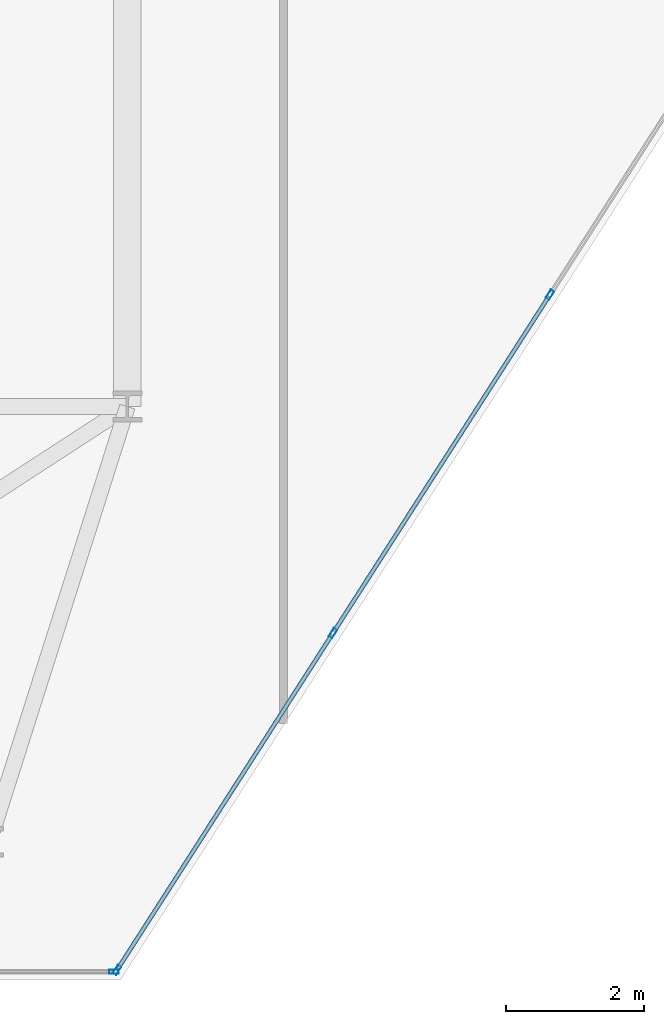
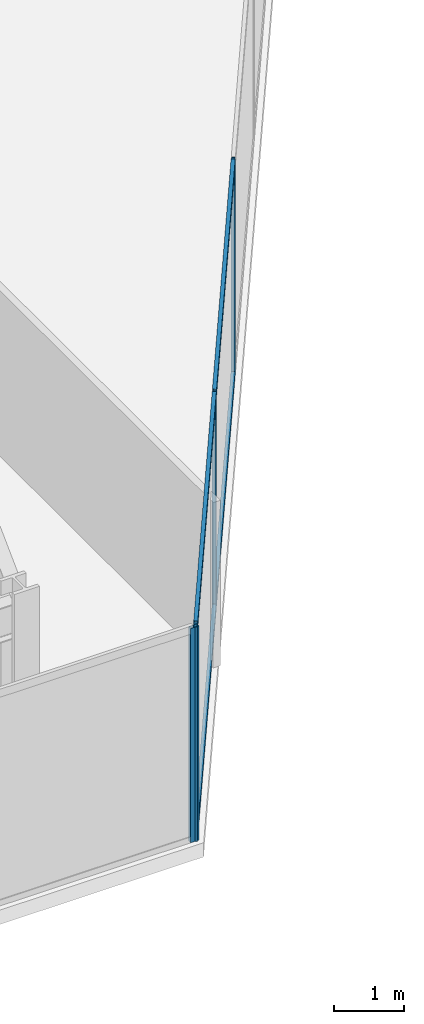
# One storey, part 7 of 26: 8 members, 2 elements without a shape of their own.
"""IFC4 building model written with IfcOpenShell, lengths in metres."""

from ifc_helpers import new_model, si_unit, direction, frame, origin, origin_2d, place, context, subcontext, project, spatial, hollow_rectangle, extrude, material, layer, layer_set, material_profile, profile_set, type_object, element, aggregate, save


model = new_model("IFC4")

# Units and contexts
model_context = context("Model", 3, precision=1e-05, world=origin(), true_north=direction((0.0, 1.0)))
body_context = subcontext(model_context, "Body", "Model", "MODEL_VIEW")
ifc_project = project(units=[si_unit("LENGTHUNIT", "METRE"), si_unit("AREAUNIT", "SQUARE_METRE"), si_unit("VOLUMEUNIT", "CUBIC_METRE"), si_unit("PLANEANGLEUNIT", "RADIAN"), si_unit("MASSUNIT", "GRAM", prefix="KILO")], contexts=[model_context])

# Site, building, storey
site_placement = place(None, origin())
site = spatial("IfcSite", under=ifc_project, at=site_placement, CompositionType="ELEMENT")
building_placement = place(site_placement, origin())
building = spatial("IfcBuilding", under=site, at=building_placement, Name="Kravanh Interchange Tower", CompositionType="ELEMENT")
storey_placement = place(building_placement, frame((0.0, 0.0, 132.0)))
storey = spatial("IfcBuildingStorey", under=building, at=storey_placement, Name="L31", CompositionType="ELEMENT", Elevation=132.0)

# Curtain wall, members
ifc_material_1 = material(Name="Anodised Bronze Aluminium", Category="aluminium")
ifc_layer = layer(ifc_material_1, 0.179931640625)
ifc_layer_set = layer_set([ifc_layer], Name="Unitised Curtain Wall System CW-Z2 Mid Office")
curtain_wall_type = type_object("IfcCurtainWallType", Name="Unitised Curtain Wall System CW-Z2 Mid Office", PredefinedType="NOTDEFINED", material=ifc_layer_set)
curtain_wall_1_placement = place(storey_placement, origin())
curtain_wall_1 = element("IfcCurtainWall", 1, at=curtain_wall_1_placement, inside=storey, type_object=curtain_wall_type, Name="L31 Unitised Curtain Wall CW-L31-05", PredefinedType="NOTDEFINED")
ifc_material_2 = material(Name="Anodised Bronze Aluminium", Category="aluminium")
ifc_material_profile_1 = material_profile(ifc_material_2, hollow_rectangle(XDim=0.06005859375, YDim=0.139892578125, WallThickness=0.00390625, at=origin_2d()), Name="ALU60X140X4")
ifc_profile_set_1 = profile_set([ifc_material_profile_1], Name="Anodised Bronze Aluminium")
member_type_1 = type_object("IfcMemberType", Name="Curtain Wall Mullion ALU60X140X4 Bronze", PredefinedType="MULLION", material=ifc_profile_set_1)
member_1_placement = place(storey_placement, frame((33.317138671875, 16.12109375, 0.0), z_axis=(0.0, 0.0, 1.0), x_axis=(0.841879939476, -0.539664865919, 0.0)))
member_1 = element("IfcMember", 2, at=member_1_placement, type_object=member_type_1, Name="CW-Z2 mullion 3", PredefinedType="MULLION", context=body_context, shape_type="SweptSolid", body=[
    extrude(hollow_rectangle(XDim=0.06005859375, YDim=0.139892578125, WallThickness=0.00390625, at=origin_2d()), origin(), (0.0, 0.0, 1.0), 3.75),
])
member_2_placement = place(storey_placement, frame((30.17578125, 11.220703125, 0.0), z_axis=(0.0, 0.0, 1.0), x_axis=(0.841879939476, -0.539664865919, 0.0)))
member_2 = element("IfcMember", 3, at=member_2_placement, type_object=member_type_1, Name="CW-Z2 mullion 4", PredefinedType="MULLION", context=body_context, shape_type="SweptSolid", body=[
    extrude(hollow_rectangle(XDim=0.06005859375, YDim=0.139892578125, WallThickness=0.00390625, at=origin_2d()), origin(), (0.0, 0.0, 1.0), 3.75),
])
member_3_placement = place(storey_placement, frame((27.050537109375, 6.34521484375, 0.0), z_axis=(0.0, 0.0, 1.0), x_axis=(0.841879939476, -0.539664865919, 0.0)))
member_3 = element("IfcMember", 4, at=member_3_placement, type_object=member_type_1, Name="CW-Z2 mullion 5", PredefinedType="MULLION", context=body_context, shape_type="SweptSolid", body=[
    extrude(hollow_rectangle(XDim=0.06005859375, YDim=0.139892578125, WallThickness=0.00390625, at=origin_2d()), origin(), (0.0, 0.0, 1.0), 3.75),
])

# Curtain wall, member
curtain_wall_2_placement = place(storey_placement, origin())
curtain_wall_2 = element("IfcCurtainWall", 5, at=curtain_wall_2_placement, inside=storey, type_object=curtain_wall_type, Name="L31 Unitised Curtain Wall CW-L31-06", PredefinedType="NOTDEFINED")
member_4_placement = place(storey_placement, frame((27.00439453125, 6.320068359375, 0.0), z_axis=(0.0, 0.0, 1.0), x_axis=(0.0, -1.0, 0.0)))
member_4 = element("IfcMember", 6, at=member_4_placement, type_object=member_type_1, Name="CW-Z2 mullion 1", PredefinedType="MULLION", context=body_context, shape_type="SweptSolid", body=[
    extrude(hollow_rectangle(XDim=0.06005859375, YDim=0.139892578125, WallThickness=0.00390625, at=origin_2d()), origin(), (0.0, 0.0, 1.0), 3.75),
])
aggregate(curtain_wall_2, [member_4])

# Member
ifc_material_3 = material(Name="Anodised Bronze Aluminium", Category="aluminium")
ifc_material_profile_2 = material_profile(ifc_material_3, hollow_rectangle(XDim=0.06005859375, YDim=0.139892578125, WallThickness=0.00390625, at=origin_2d()), Name="ALU60X140X4")
ifc_profile_set_2 = profile_set([ifc_material_profile_2], Name="Anodised Bronze Aluminium")
member_type_2 = type_object("IfcMemberType", Name="Curtain Wall Transom ALU60X140X4 Bronze", PredefinedType="USERDEFINED", material=ifc_profile_set_2)
member_5_placement = place(storey_placement, frame((33.301025390625, 16.095947265625, 0.030029296875), z_axis=(-0.539677666788, -0.84187173368, 0.0), x_axis=(0.84187173368, -0.539677666788, 0.0)))
member_5 = element("IfcMember", 7, at=member_5_placement, type_object=member_type_2, Name="CW-Z2 transom 3.1", ObjectType="TRANSOM", PredefinedType="USERDEFINED", context=body_context, shape_type="SweptSolid", body=[
    extrude(hollow_rectangle(XDim=0.06005859375, YDim=0.139892578125, WallThickness=0.00390625, at=origin_2d()), origin(), (0.0, 0.0, 1.0), 5.760986328125),
])

member_6_placement = place(storey_placement, frame((33.301025390625, 16.095947265625, 3.719970703125), z_axis=(-0.539677666788, -0.84187173368, 0.0), x_axis=(0.84187173368, -0.539677666788, 0.0)))
member_6 = element("IfcMember", 8, at=member_6_placement, type_object=member_type_2, Name="CW-Z2 transom 3.2", ObjectType="TRANSOM", PredefinedType="USERDEFINED", context=body_context, shape_type="SweptSolid", body=[
    extrude(hollow_rectangle(XDim=0.06005859375, YDim=0.139892578125, WallThickness=0.00390625, at=origin_2d()), origin(), (0.0, 0.0, 1.0), 5.760986328125),
])

member_7_placement = place(storey_placement, frame((30.15966796875, 11.1953125, 0.030029296875), z_axis=(-0.53966766312, -0.841878146398, 0.0), x_axis=(0.841878146398, -0.53966766312, 0.0)))
member_7 = element("IfcMember", 9, at=member_7_placement, type_object=member_type_2, Name="CW-Z2 transom 4.1", ObjectType="TRANSOM", PredefinedType="USERDEFINED", context=body_context, shape_type="SweptSolid", body=[
    extrude(hollow_rectangle(XDim=0.06005859375, YDim=0.139892578125, WallThickness=0.00390625, at=origin_2d()), origin(), (0.0, 0.0, 1.0), 5.73095703125),
])

member_8_placement = place(storey_placement, frame((30.15966796875, 11.1953125, 3.719970703125), z_axis=(-0.53966766312, -0.841878146398, 0.0), x_axis=(0.841878146398, -0.53966766312, 0.0)))
member_8 = element("IfcMember", 10, at=member_8_placement, type_object=member_type_2, Name="CW-Z2 transom 4.2", ObjectType="TRANSOM", PredefinedType="USERDEFINED", context=body_context, shape_type="SweptSolid", body=[
    extrude(hollow_rectangle(XDim=0.06005859375, YDim=0.139892578125, WallThickness=0.00390625, at=origin_2d()), origin(), (0.0, 0.0, 1.0), 5.73095703125),
])

aggregate(curtain_wall_1, [member_1, member_2, member_3, member_5, member_6, member_7, member_8])

save(model, "model.ifc")
